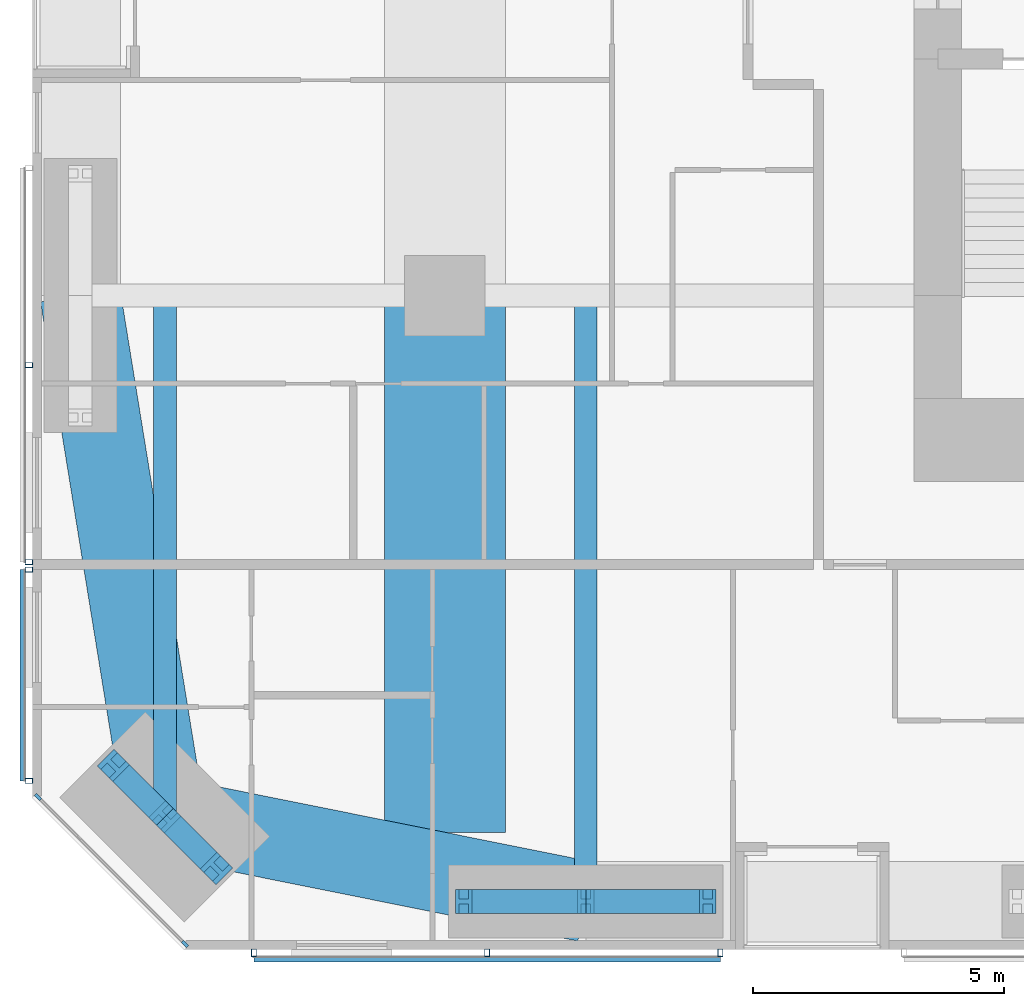
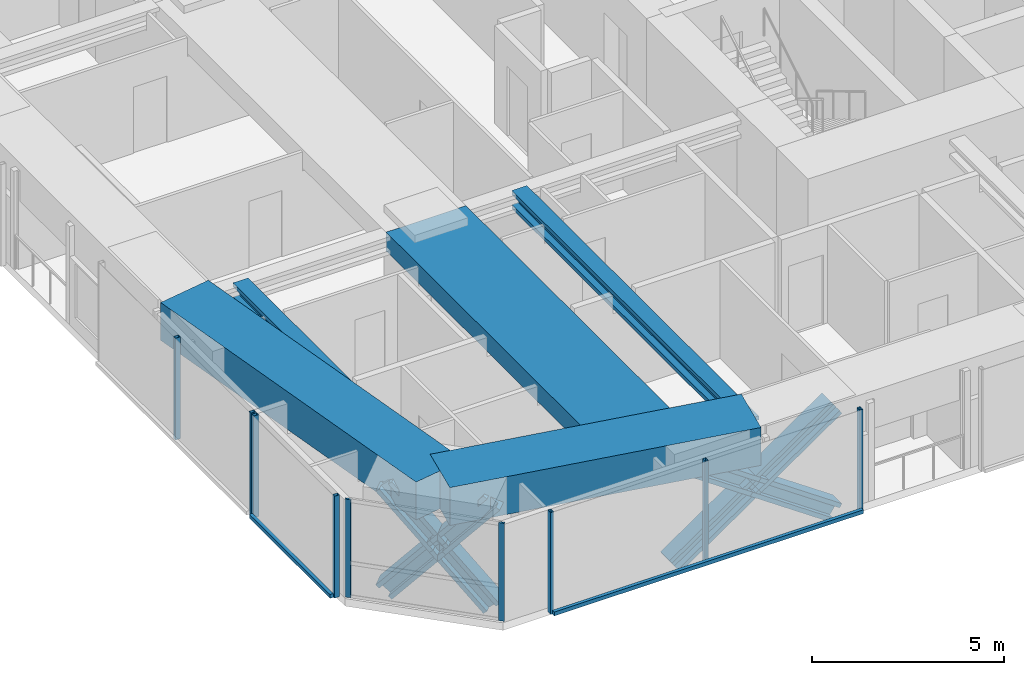
# One storey, part 2 of 23: 19 members, 5 beams, 4 elements without a shape of their own.
"""IFC4 building model written with IfcOpenShell, lengths in metres."""

from ifc_helpers import new_model, si_unit, direction, frame, origin, origin_2d, place, context, subcontext, project, spatial, rectangle, hollow_rectangle, i_section, extrude, material, material_profile, profile_set, type_object, element, aggregate, save


model = new_model("IFC4")

# Units and contexts
model_context = context("Model", 3, precision=1e-05, world=origin(), true_north=direction((0.0, 1.0)))
body_context = subcontext(model_context, "Body", "Model", "MODEL_VIEW")
ifc_project = project(units=[si_unit("LENGTHUNIT", "METRE"), si_unit("AREAUNIT", "SQUARE_METRE"), si_unit("VOLUMEUNIT", "CUBIC_METRE"), si_unit("PLANEANGLEUNIT", "RADIAN"), si_unit("MASSUNIT", "GRAM", prefix="KILO")], contexts=[model_context])

# Site, building, storey
site_placement = place(None, origin())
site = spatial("IfcSite", under=ifc_project, at=site_placement, CompositionType="ELEMENT")
building_placement = place(site_placement, origin())
building = spatial("IfcBuilding", under=site, at=building_placement, Name="Jalousie Tower", CompositionType="ELEMENT")
storey_placement = place(building_placement, frame((0.0, 0.0, 27.699951171875)))
storey = spatial("IfcBuildingStorey", under=building, at=storey_placement, Name="L06", CompositionType="ELEMENT", Elevation=27.699951171875)

# Curtain wall, members
ifc_material_1 = material(Name="Aluminium curtain wall", Category="aluminium")
curtain_wall_type_1 = type_object("IfcCurtainWallType", Name="CORNER WINDOW WALL", PredefinedType="USERDEFINED", material=ifc_material_1)
curtain_wall_1_placement = place(storey_placement, origin())
curtain_wall_1 = element("IfcCurtainWall", 1, at=curtain_wall_1_placement, inside=storey, type_object=curtain_wall_type_1, Name="Corner Window Wall L06 8", ObjectType="CORNER WINDOW WALL", PredefinedType="USERDEFINED")
ifc_material_2 = material(Name="Aluminium mullion", Category="aluminium")
ifc_material_profile_1 = material_profile(ifc_material_2, rectangle(XDim=0.06005859375, YDim=0.14990234375, at=origin_2d()), Name="MULLION 60x150")
ifc_profile_set_1 = profile_set([ifc_material_profile_1], Name="Aluminium mullion")
member_type_1 = type_object("IfcMemberType", Name="CORNER WINDOW WALL MULLION", PredefinedType="MULLION", material=ifc_profile_set_1)
member_1_placement = place(storey_placement, frame((2.108642578125, 3.030029296875, 0.0), z_axis=(0.0, 0.0, 1.0), x_axis=(0.707106781187, 0.707106781187, 0.0)))
member_1 = element("IfcMember", 2, at=member_1_placement, type_object=member_type_1, Name="CW-C mullion 1", PredefinedType="MULLION", context=body_context, shape_type="SweptSolid", body=[
    extrude(rectangle(XDim=0.06005859375, YDim=0.14990234375, at=origin_2d()), origin(), (0.0, 0.0, 1.0), 3.110107421875),
])
member_2_placement = place(storey_placement, frame((5.030029296875, 0.108642578125, 0.0), z_axis=(0.0, 0.0, 1.0), x_axis=(0.707106781187, 0.707106781187, 0.0)))
member_2 = element("IfcMember", 3, at=member_2_placement, type_object=member_type_1, Name="CW-C mullion 2", PredefinedType="MULLION", context=body_context, shape_type="SweptSolid", body=[
    extrude(rectangle(XDim=0.06005859375, YDim=0.14990234375, at=origin_2d()), origin(), (0.0, 0.0, 1.0), 3.110107421875),
])
aggregate(curtain_wall_1, [member_1, member_2])

# Beams
ifc_material_3 = material(Name="Steel ASTM A992 Grade 50", Category="steel")
ifc_material_profile_2 = material_profile(ifc_material_3, i_section(OverallWidth=0.45458984375, OverallDepth=0.569091796875, WebThickness=0.077880859375, FlangeThickness=0.124755859375, at=origin_2d()), Name="W14X730")
ifc_profile_set_2 = profile_set([ifc_material_profile_2], Name="Steel ASTM A992 Grade 50")
beam_type_1 = type_object("IfcBeamType", Name="LEAN COLLECTOR W14X730", PredefinedType="BEAM", material=ifc_profile_set_2)
beam_1_placement = place(storey_placement, frame((4.63134765625, 2.63134765625, 2.825439453125), z_axis=(0.0, 1.0, 0.0), x_axis=(-1.0, 0.0, 0.0)))
element("IfcBeam", 4, at=beam_1_placement, inside=storey, type_object=beam_type_1, Name="Lean collector under L07", PredefinedType="BEAM", context=body_context, shape_type="SweptSolid", body=[
    extrude(i_section(OverallWidth=0.45458984375, OverallDepth=0.569091796875, WebThickness=0.077880859375, FlangeThickness=0.124755859375, at=origin_2d()), origin(), (0.0, 0.0, 1.0), 10.36865234375),
])
beam_2_placement = place(storey_placement, frame((13.0, 0.949951171875, 2.825439453125), z_axis=(0.0, 1.0, 0.0), x_axis=(-1.0, 0.0, 0.0)))
element("IfcBeam", 5, at=beam_2_placement, inside=storey, type_object=beam_type_1, Name="Lean collector under L07", PredefinedType="BEAM", context=body_context, shape_type="SweptSolid", body=[
    extrude(i_section(OverallWidth=0.45458984375, OverallDepth=0.569091796875, WebThickness=0.077880859375, FlangeThickness=0.124755859375, at=origin_2d()), origin(), (0.0, 0.0, 1.0), 12.050048828125),
])

# Members
ifc_material_4 = material(Name="Steel ASTM A992 Grade 50", Category="steel")
ifc_material_profile_3 = material_profile(ifc_material_4, i_section(OverallWidth=0.472412109375, OverallDepth=0.5791015625, WebThickness=0.094970703125, FlangeThickness=0.1298828125, at=origin_2d()), Name="W14X808")
ifc_profile_set_3 = profile_set([ifc_material_profile_3], Name="Steel ASTM A992 Grade 50")
member_type_2 = type_object("IfcMemberType", Name="PERIMETER BRACE W14X808", PredefinedType="BRACE", material=ifc_profile_set_3)
for number, where, z_axis, x_axis, name in (
    (6, (3.606201171875, 3.65673828125, -0.599853515625), (0.462768350628, -0.462878559809, 0.756034981021), (0.707190965575, 0.707022586774, 0.0), "Perimeter brace 01 L06 part 1"),
    (7, (4.63134765625, 2.63134765625, 1.074951171875), (0.462839993852, -0.462729793854, 0.756082189957), (0.707022586774, 0.707190965575, 0.0), "Perimeter brace 01 L06 part 2"),
    (8, (5.65673828125, 1.606201171875, -0.599853515625), (-0.462878559809, 0.462768350628, 0.756034981021), (-0.707022586774, -0.707190965575, 0.0), "Perimeter brace 01 L06 part 3"),
    (9, (4.63134765625, 2.63134765625, 1.074951171875), (-0.462729793854, 0.462839993852, 0.756082189957), (-0.707190965575, -0.707022586774, 0.0), "Perimeter brace 01 L06 part 4"),
):
    element("IfcMember", number, at=place(storey_placement, frame(where, z_axis=z_axis, x_axis=x_axis)), inside=storey, type_object=member_type_2, Name=name, PredefinedType="BRACE", context=body_context, shape_type="SweptSolid", body=[
        extrude(i_section(OverallWidth=0.472412109375, OverallDepth=0.5791015625, WebThickness=0.094970703125, FlangeThickness=0.1298828125, at=origin_2d()), origin(), (0.0, 0.0, 1.0), 2.21533203125),
    ])
for number, where, z_axis, x_axis, name in (
    (10, (10.574951171875, 0.949951171875, -0.599853515625), (0.82283879777, 0.0, 0.568274856811), (0.0, 1.0, 0.0), "Perimeter brace 02 L06 part 1"),
    (11, (13.0, 0.949951171875, 1.074951171875), (0.822800062329, 0.0, 0.568330940062), (0.0, 1.0, 0.0), "Perimeter brace 02 L06 part 2"),
    (12, (15.425048828125, 0.949951171875, -0.599853515625), (-0.82283879777, 0.0, 0.568274856811), (0.0, -1.0, 0.0), "Perimeter brace 02 L06 part 3"),
    (13, (13.0, 0.949951171875, 1.074951171875), (-0.822800062329, 0.0, 0.568330940062), (0.0, -1.0, 0.0), "Perimeter brace 02 L06 part 4"),
):
    element("IfcMember", number, at=place(storey_placement, frame(where, z_axis=z_axis, x_axis=x_axis)), inside=storey, type_object=member_type_2, Name=name, PredefinedType="BRACE", context=body_context, shape_type="SweptSolid", body=[
        extrude(i_section(OverallWidth=0.472412109375, OverallDepth=0.5791015625, WebThickness=0.094970703125, FlangeThickness=0.1298828125, at=origin_2d()), origin(), (0.0, 0.0, 1.0), 2.947265625),
    ])

# Beams
ifc_material_5 = material(Name="Concrete f'c 40 MPa", Category="concrete")
ifc_material_profile_4 = material_profile(ifc_material_5, rectangle(XDim=1.60009765625, YDim=1.199951171875, at=origin_2d()), Name="RC 1600x1200")
ifc_profile_set_4 = profile_set([ifc_material_profile_4], Name="Concrete f'c 40 MPa")
beam_type_2 = type_object("IfcBeamType", Name="RC BEAM 1600x1200", PredefinedType="BEAM", material=ifc_profile_set_4)
beam_3_placement = place(storey_placement, frame((4.63134765625, 2.63134765625, 2.75), z_axis=(0.980407585444, -0.196979609107, 0.0), x_axis=(0.196979609107, 0.980407585444, 0.0)))
element("IfcBeam", 14, at=beam_3_placement, inside=storey, type_object=beam_type_2, Name="Edge band beam 01-02 under L07", PredefinedType="BEAM", context=body_context, shape_type="SweptSolid", body=[
    extrude(rectangle(XDim=1.60009765625, YDim=1.199951171875, at=origin_2d()), origin(), (0.0, 0.0, 1.0), 8.535888671875),
])
beam_4_placement = place(storey_placement, frame((2.949951171875, 13.0, 2.75), z_axis=(0.160070546476, -0.987105577003, 0.0), x_axis=(0.987105577003, 0.160070546476, 0.0)))
element("IfcBeam", 15, at=beam_4_placement, inside=storey, type_object=beam_type_2, Name="Edge band beam 14-01 under L07", PredefinedType="BEAM", context=body_context, shape_type="SweptSolid", body=[
    extrude(rectangle(XDim=1.60009765625, YDim=1.199951171875, at=origin_2d()), origin(), (0.0, 0.0, 1.0), 10.504150390625),
])
ifc_material_6 = material(Name="Concrete f'c 40 MPa", Category="concrete")
ifc_material_profile_5 = material_profile(ifc_material_6, rectangle(XDim=2.39990234375, YDim=0.60009765625, at=origin_2d()), Name="RC 2400x600")
ifc_profile_set_5 = profile_set([ifc_material_profile_5], Name="Concrete f'c 40 MPa")
beam_type_3 = type_object("IfcBeamType", Name="RC BEAM 2400x600", PredefinedType="BEAM", material=ifc_profile_set_5)
beam_5_placement = place(storey_placement, frame((10.199951171875, 13.0, 2.81005859375), z_axis=(0.0, -1.0, 0.0), x_axis=(1.0, 0.0, 0.0)))
element("IfcBeam", 16, at=beam_5_placement, inside=storey, type_object=beam_type_3, Name="Floor band beam under L07", PredefinedType="BEAM", context=body_context, shape_type="SweptSolid", body=[
    extrude(rectangle(XDim=2.39990234375, YDim=0.60009765625, at=origin_2d()), origin(), (0.0, 0.0, 1.0), 10.67138671875),
])

# Curtain wall, members
ifc_material_7 = material(Name="Perforated aluminium sheet", Category="aluminium")
curtain_wall_type_2 = type_object("IfcCurtainWallType", Name="SOLAR SCREEN SS-1", PredefinedType="USERDEFINED", material=ifc_material_7)
curtain_wall_2_placement = place(storey_placement, origin())
curtain_wall_2 = element("IfcCurtainWall", 17, at=curtain_wall_2_placement, inside=storey, type_object=curtain_wall_type_2, Name="Solar screen L06", ObjectType="SOLAR SCREEN SS-1", PredefinedType="USERDEFINED")
ifc_material_8 = material(Name="Steel ASTM A500 Grade C", Category="steel")
ifc_material_profile_6 = material_profile(ifc_material_8, hollow_rectangle(XDim=0.1015625, YDim=0.15234375, WallThickness=0.00634765625, at=origin_2d()), Name="HSS6X4X1/4")
ifc_profile_set_6 = profile_set([ifc_material_profile_6], Name="Steel ASTM A500 Grade C")
member_type_3 = type_object("IfcMemberType", Name="SOLAR SCREEN SS-1 MULLION", PredefinedType="MULLION", material=ifc_profile_set_6)
member_3_placement = place(storey_placement, frame((6.39990234375, -0.0712890625, -0.119873046875), z_axis=(0.0, 0.0, 1.0), x_axis=(1.0, 0.0, 0.0)))
member_3 = element("IfcMember", 18, at=member_3_placement, type_object=member_type_3, Name="SS1 post 1", PredefinedType="MULLION", context=body_context, shape_type="SweptSolid", body=[
    extrude(hollow_rectangle(XDim=0.1015625, YDim=0.15234375, WallThickness=0.00634765625, at=origin_2d()), origin(), (0.0, 0.0, 1.0), 3.22998046875),
])
member_4_placement = place(storey_placement, frame((11.03759765625, -0.0712890625, -0.119873046875), z_axis=(0.0, 0.0, 1.0), x_axis=(1.0, 0.0, 0.0)))
member_4 = element("IfcMember", 19, at=member_4_placement, type_object=member_type_3, Name="SS1 post 2", PredefinedType="MULLION", context=body_context, shape_type="SweptSolid", body=[
    extrude(hollow_rectangle(XDim=0.1015625, YDim=0.15234375, WallThickness=0.00634765625, at=origin_2d()), origin(), (0.0, 0.0, 1.0), 3.22998046875),
])
member_5_placement = place(storey_placement, frame((15.675048828125, -0.0712890625, -0.119873046875), z_axis=(0.0, 0.0, 1.0), x_axis=(1.0, 0.0, 0.0)))
member_5 = element("IfcMember", 20, at=member_5_placement, type_object=member_type_3, Name="SS1 post 3", PredefinedType="MULLION", context=body_context, shape_type="SweptSolid", body=[
    extrude(hollow_rectangle(XDim=0.1015625, YDim=0.15234375, WallThickness=0.00634765625, at=origin_2d()), origin(), (0.0, 0.0, 1.0), 3.22998046875),
])

curtain_wall_3_placement = place(storey_placement, origin())
curtain_wall_3 = element("IfcCurtainWall", 21, at=curtain_wall_3_placement, inside=storey, type_object=curtain_wall_type_2, Name="Solar screen L06", ObjectType="SOLAR SCREEN SS-1", PredefinedType="USERDEFINED")
member_6_placement = place(storey_placement, frame((1.9287109375, 11.61669921875, -0.119873046875), z_axis=(0.0, 0.0, 1.0), x_axis=(0.0, -1.0, 0.0)))
member_6 = element("IfcMember", 22, at=member_6_placement, type_object=member_type_3, Name="SS1 post 2", PredefinedType="MULLION", context=body_context, shape_type="SweptSolid", body=[
    extrude(hollow_rectangle(XDim=0.1015625, YDim=0.15234375, WallThickness=0.00634765625, at=origin_2d()), origin(), (0.0, 0.0, 1.0), 3.22998046875),
])
member_7_placement = place(storey_placement, frame((1.9287109375, 7.699951171875, -0.119873046875), z_axis=(0.0, 0.0, 1.0), x_axis=(0.0, -1.0, 0.0)))
member_7 = element("IfcMember", 23, at=member_7_placement, type_object=member_type_3, Name="SS1 post 3", PredefinedType="MULLION", context=body_context, shape_type="SweptSolid", body=[
    extrude(hollow_rectangle(XDim=0.1015625, YDim=0.15234375, WallThickness=0.00634765625, at=origin_2d()), origin(), (0.0, 0.0, 1.0), 3.22998046875),
])
aggregate(curtain_wall_3, [member_6, member_7])

curtain_wall_4_placement = place(storey_placement, origin())
curtain_wall_4 = element("IfcCurtainWall", 24, at=curtain_wall_4_placement, inside=storey, type_object=curtain_wall_type_2, Name="Solar screen L06", ObjectType="SOLAR SCREEN SS-1", PredefinedType="USERDEFINED")
member_8_placement = place(storey_placement, frame((1.9287109375, 7.550048828125, -0.119873046875), z_axis=(0.0, 0.0, 1.0), x_axis=(0.0, -1.0, 0.0)))
member_8 = element("IfcMember", 25, at=member_8_placement, type_object=member_type_3, Name="SS1 post 1", PredefinedType="MULLION", context=body_context, shape_type="SweptSolid", body=[
    extrude(hollow_rectangle(XDim=0.1015625, YDim=0.15234375, WallThickness=0.00634765625, at=origin_2d()), origin(), (0.0, 0.0, 1.0), 3.22998046875),
])
member_9_placement = place(storey_placement, frame((1.9287109375, 3.351318359375, -0.119873046875), z_axis=(0.0, 0.0, 1.0), x_axis=(0.0, -1.0, 0.0)))
member_9 = element("IfcMember", 26, at=member_9_placement, type_object=member_type_3, Name="SS1 post 2", PredefinedType="MULLION", context=body_context, shape_type="SweptSolid", body=[
    extrude(hollow_rectangle(XDim=0.1015625, YDim=0.15234375, WallThickness=0.00634765625, at=origin_2d()), origin(), (0.0, 0.0, 1.0), 3.22998046875),
])

# Member
ifc_material_9 = material(Name="Extruded aluminium screen rail", Category="aluminium")
ifc_material_profile_7 = material_profile(ifc_material_9, rectangle(XDim=0.1015625, YDim=0.1201171875, at=origin_2d()), Name="RAIL 102x120")
ifc_profile_set_7 = profile_set([ifc_material_profile_7], Name="Extruded aluminium screen rail")
member_type_4 = type_object("IfcMemberType", Name="SOLAR SCREEN SS-1 TRANSOM", PredefinedType="USERDEFINED", material=ifc_profile_set_7)
member_10_placement = place(storey_placement, frame((6.39990234375, -0.1982421875, -0.06005859375), z_axis=(1.0, 0.0, 0.0), x_axis=(0.0, 1.0, 0.0)))
member_10 = element("IfcMember", 27, at=member_10_placement, type_object=member_type_4, Name="SS1 rail", ObjectType="TRANSOM", PredefinedType="USERDEFINED", context=body_context, shape_type="SweptSolid", body=[
    extrude(rectangle(XDim=0.1015625, YDim=0.1201171875, at=origin_2d()), origin(), (0.0, 0.0, 1.0), 9.275146484375),
])

aggregate(curtain_wall_2, [member_3, member_4, member_5, member_10])

member_11_placement = place(storey_placement, frame((1.8017578125, 7.550048828125, -0.06005859375), z_axis=(0.0, -1.0, 0.0), x_axis=(1.0, 0.0, 0.0)))
member_11 = element("IfcMember", 28, at=member_11_placement, type_object=member_type_4, Name="SS1 rail", ObjectType="TRANSOM", PredefinedType="USERDEFINED", context=body_context, shape_type="SweptSolid", body=[
    extrude(rectangle(XDim=0.1015625, YDim=0.1201171875, at=origin_2d()), origin(), (0.0, 0.0, 1.0), 4.19873046875),
])

aggregate(curtain_wall_4, [member_8, member_9, member_11])

save(model, "model.ifc")
